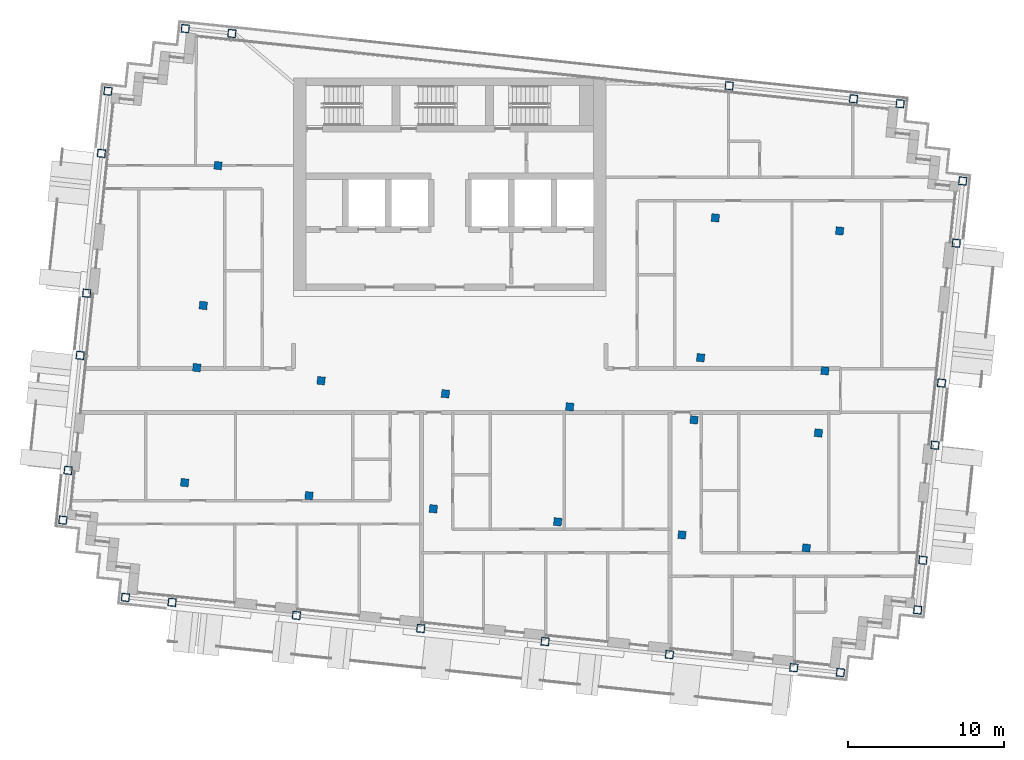
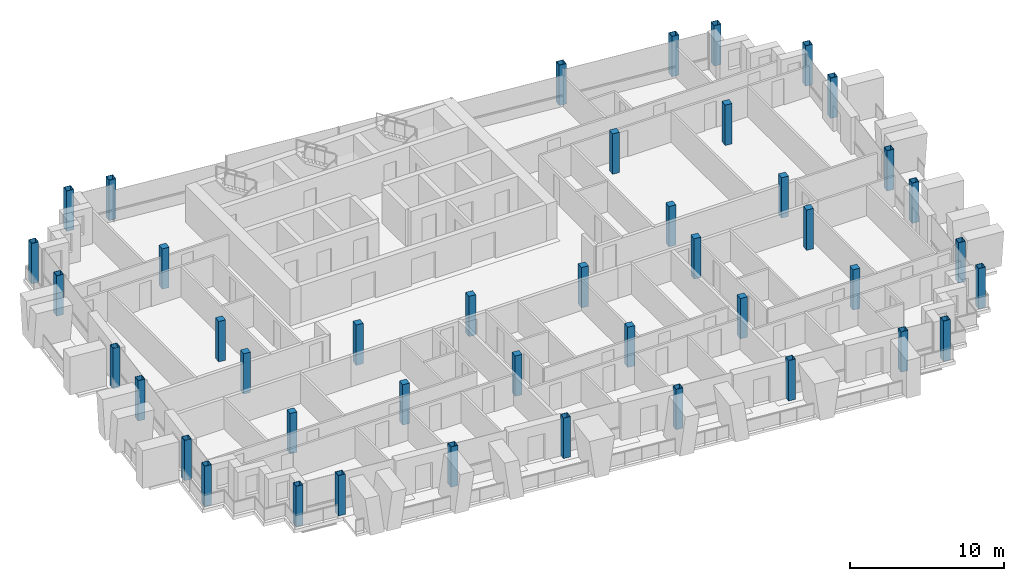
# One storey, part 1 of 17: 43 columns.
"""IFC4 building model written with IfcOpenShell, lengths in metres."""

from ifc_helpers import new_model, si_unit, direction, frame, origin, origin_2d, place, context, subcontext, project, spatial, rectangle, hollow_rectangle, extrude, material, material_profile, profile_set, type_object, element, save


model = new_model("IFC4")

# Units and contexts
model_context = context("Model", 3, precision=1e-05, world=origin(), true_north=direction((0.0, 1.0)))
body_context = subcontext(model_context, "Body", "Model", "MODEL_VIEW")
ifc_project = project(units=[si_unit("LENGTHUNIT", "METRE"), si_unit("AREAUNIT", "SQUARE_METRE"), si_unit("VOLUMEUNIT", "CUBIC_METRE"), si_unit("PLANEANGLEUNIT", "RADIAN"), si_unit("MASSUNIT", "GRAM", prefix="KILO")], contexts=[model_context])

# Site, building, storey
site_placement = place(None, origin())
site = spatial("IfcSite", under=ifc_project, at=site_placement, CompositionType="ELEMENT")
building_placement = place(site_placement, origin())
building = spatial("IfcBuilding", under=site, at=building_placement, Name="Vidyagriha Tower", CompositionType="ELEMENT")
storey_placement = place(building_placement, frame((0.0, 0.0, 269.10009765625)))
storey = spatial("IfcBuildingStorey", under=building, at=storey_placement, Name="L70", CompositionType="ELEMENT", Elevation=269.10009765625)

# Columns
ifc_material_1 = material(Name="Steel ASTM A572 Grade 50", Category="steel")
ifc_material_profile_1 = material_profile(ifc_material_1, hollow_rectangle(XDim=0.5, YDim=0.5, WallThickness=0.02490234375, at=origin_2d()), Name="BOX 500x500x25")
ifc_profile_set_1 = profile_set([ifc_material_profile_1], Name="Steel ASTM A572 Grade 50")
column_type_1 = type_object("IfcColumnType", Name="Exoskeleton column BOX 500x500x25", PredefinedType="COLUMN", material=ifc_profile_set_1)
for number, where, z_axis, x_axis, name in (
    (1, (-20.751953125, -13.24267578125, 0.0), (0.0, 0.0, 1.0), (0.994521895368, -0.104528463268, 0.0), "st-col-L70-B6-001"),
    (2, (-17.768310546875, -13.55615234375, 0.0), (0.0, 0.0, 1.0), (0.994521895368, -0.104528463268, 0.0), "st-col-L70-B6-002"),
    (3, (-9.812255859375, -14.392333984375, 0.0), (0.0, 0.0, 1.0), (0.994521895368, -0.104528463268, 0.0), "st-col-L70-B6-003"),
    (4, (-1.856201171875, -15.228515625, 0.0), (0.0, 0.0, 1.0), (0.994521895368, -0.104528463268, 0.0), "st-col-L70-B6-004"),
    (5, (6.10009765625, -16.06494140625, 0.0), (0.0, 0.0, 1.0), (0.994521895368, -0.104528463268, 0.0), "st-col-L70-B6-005"),
    (6, (14.056396484375, -16.901123046875, 0.0), (0.0, 0.0, 1.0), (0.994521895368, -0.104528463268, 0.0), "st-col-L70-B6-006"),
    (7, (22.012451171875, -17.7373046875, 0.0), (0.0, 0.0, 1.0), (0.994521895368, -0.104528463268, 0.0), "st-col-L70-B6-007"),
    (8, (24.99609375, -18.05078125, 0.0), (0.0, 0.0, 1.0), (0.994521895368, -0.104528463268, 0.0), "st-col-L70-B6-008"),
    (9, (-24.757080078125, -8.296875, 0.0), (0.0, 0.0, 1.0), (0.994521895368, -0.104528463268, 0.0), "st-col-L70-B6-009"),
    (10, (29.941650390625, -14.0458984375, 0.0), (0.0, 0.0, 1.0), (0.994521895368, -0.104528463268, 0.0), "st-col-L70-B6-010"),
    (11, (-24.422607421875, -5.114501953125, 0.0), (0.0, 0.0, 1.0), (0.994521895368, -0.104528463268, 0.0), "st-col-L70-B6-011"),
    (12, (30.276123046875, -10.863525390625, 0.0), (0.0, 0.0, 1.0), (0.994521895368, -0.104528463268, 0.0), "st-col-L70-B6-018"),
    (13, (-23.64892578125, 2.2451171875, 0.0), (0.0, 0.0, 1.0), (0.994521895368, -0.104528463268, 0.0), "st-col-L70-B6-019"),
    (14, (31.0498046875, -3.50390625, 0.0), (0.0, 0.0, 1.0), (0.994521895368, -0.104528463268, 0.0), "st-col-L70-B6-026"),
    (15, (-23.23095703125, 6.22314453125, 0.0), (0.0, 0.0, 1.0), (0.994521895368, -0.104528463268, 0.0), "st-col-L70-B6-027"),
    (16, (31.4677734375, 0.47412109375, 0.0), (0.0, 0.0, 1.0), (0.994521895368, -0.104528463268, 0.0), "st-col-L70-B6-031"),
    (17, (-22.2900390625, 15.173828125, 0.0), (0.0, 0.0, 1.0), (0.994521895368, -0.104528463268, 0.0), "st-col-L70-B6-032"),
    (18, (32.40869140625, 9.4248046875, 0.0), (0.0, 0.0, 1.0), (0.994521895368, -0.104528463268, 0.0), "st-col-L70-B6-036"),
    (19, (-21.8720703125, 19.15185546875, 0.0), (0.0, 0.0, 1.0), (0.994521895368, -0.104528463268, 0.0), "st-col-L70-B6-037"),
    (20, (32.82666015625, 13.40283203125, 0.0), (0.0, 0.0, 1.0), (0.994521895368, -0.104528463268, 0.0), "st-col-L70-B6-038"),
    (21, (-16.92626953125, 23.156982421875, 0.0), (0.0, 0.0, 1.0), (0.994521895368, -0.104528463268, 0.0), "st-col-L70-B6-039"),
    (22, (-13.942626953125, 22.84326171875, 0.0), (0.0, 0.0, 1.0), (0.994521895368, -0.104528463268, 0.0), "st-col-L70-B6-040"),
    (23, (17.882080078125, 19.498291015625, 0.0), (0.0, 0.0, 1.0), (0.994521895368, -0.104528463268, 0.0), "st-col-L70-B6-041"),
    (24, (25.838134765625, 18.662109375, 0.0), (0.0, 0.0, 1.0), (0.994521895368, -0.104528463268, 0.0), "st-col-L70-B6-042"),
    (25, (28.82177734375, 18.3486328125, 0.0), (0.0, 0.0, 1.0), (0.994521895368, -0.104528463268, 0.0), "st-col-L70-B6-043"),
):
    element("IfcColumn", number, at=place(storey_placement, frame(where, z_axis=z_axis, x_axis=x_axis)), inside=storey, type_object=column_type_1, Name=name, PredefinedType="COLUMN", context=body_context, shape_type="SweptSolid", body=[
        extrude(hollow_rectangle(XDim=0.5, YDim=0.5, WallThickness=0.02490234375, at=origin_2d()), origin(), (0.0, 0.0, 1.0), 3.199951171875),
    ])
ifc_material_2 = material(Name="Concrete C60/75", Category="concrete")
ifc_material_profile_2 = material_profile(ifc_material_2, rectangle(XDim=0.5, YDim=0.5, at=origin_2d()), Name="RC 500x500")
ifc_profile_set_2 = profile_set([ifc_material_profile_2], Name="Concrete C60/75")
column_type_2 = type_object("IfcColumnType", Name="Frame column RC 500x500", PredefinedType="COLUMN", material=ifc_profile_set_2)
for number, where, z_axis, x_axis, name in (
    (26, (-16.963623046875, -5.8984375, 0.0), (0.0, 0.0, 1.0), (0.994521895368, -0.104528463268, 0.0), "st-col-L70-B6-012"),
    (27, (-9.00732421875, -6.734619140625, 0.0), (0.0, 0.0, 1.0), (0.994521895368, -0.104528463268, 0.0), "st-col-L70-B6-013"),
    (28, (-1.05126953125, -7.57080078125, 0.0), (0.0, 0.0, 1.0), (0.994521895368, -0.104528463268, 0.0), "st-col-L70-B6-014"),
    (29, (6.905029296875, -8.406982421875, 0.0), (0.0, 0.0, 1.0), (0.994521895368, -0.104528463268, 0.0), "st-col-L70-B6-015"),
    (30, (14.861083984375, -9.243408203125, 0.0), (0.0, 0.0, 1.0), (0.994521895368, -0.104528463268, 0.0), "st-col-L70-B6-016"),
    (31, (22.8173828125, -10.07958984375, 0.0), (0.0, 0.0, 1.0), (0.994521895368, -0.104528463268, 0.0), "st-col-L70-B6-017"),
    (32, (-16.190185546875, 1.461181640625, 0.0), (0.0, 0.0, 1.0), (0.994521895368, -0.104528463268, 0.0), "st-col-L70-B6-020"),
    (33, (-8.23388671875, 0.625, 0.0), (0.0, 0.0, 1.0), (0.994521895368, -0.104528463268, 0.0), "st-col-L70-B6-021"),
    (34, (-0.277587890625, -0.21142578125, 0.0), (0.0, 0.0, 1.0), (0.994521895368, -0.104528463268, 0.0), "st-col-L70-B6-022"),
    (35, (7.678466796875, -1.047607421875, 0.0), (0.0, 0.0, 1.0), (0.994521895368, -0.104528463268, 0.0), "st-col-L70-B6-023"),
    (36, (15.634521484375, -1.8837890625, 0.0), (0.0, 0.0, 1.0), (0.994521895368, -0.104528463268, 0.0), "st-col-L70-B6-024"),
    (37, (23.5908203125, -2.72021484375, 0.0), (0.0, 0.0, 1.0), (0.994521895368, -0.104528463268, 0.0), "st-col-L70-B6-025"),
    (38, (-15.77197265625, 5.439208984375, 0.0), (0.0, 0.0, 1.0), (0.994521895368, -0.104528463268, 0.0), "st-col-L70-B6-028"),
    (39, (16.052734375, 2.09423828125, 0.0), (0.0, 0.0, 1.0), (0.994521895368, -0.104528463268, 0.0), "st-col-L70-B6-029"),
    (40, (24.0087890625, 1.258056640625, 0.0), (0.0, 0.0, 1.0), (0.994521895368, -0.104528463268, 0.0), "st-col-L70-B6-030"),
    (41, (-14.831298828125, 14.389892578125, 0.0), (0.0, 0.0, 1.0), (0.994521895368, -0.104528463268, 0.0), "st-col-L70-B6-033"),
    (42, (16.993408203125, 11.044921875, 0.0), (0.0, 0.0, 1.0), (0.994521895368, -0.104528463268, 0.0), "st-col-L70-B6-034"),
    (43, (24.94970703125, 10.208740234375, 0.0), (0.0, 0.0, 1.0), (0.994521895368, -0.104528463268, 0.0), "st-col-L70-B6-035"),
):
    element("IfcColumn", number, at=place(storey_placement, frame(where, z_axis=z_axis, x_axis=x_axis)), inside=storey, type_object=column_type_2, Name=name, PredefinedType="COLUMN", context=body_context, shape_type="SweptSolid", body=[
        extrude(rectangle(XDim=0.5, YDim=0.5, at=origin_2d()), origin(), (0.0, 0.0, 1.0), 3.199951171875),
    ])

save(model, "model.ifc")
